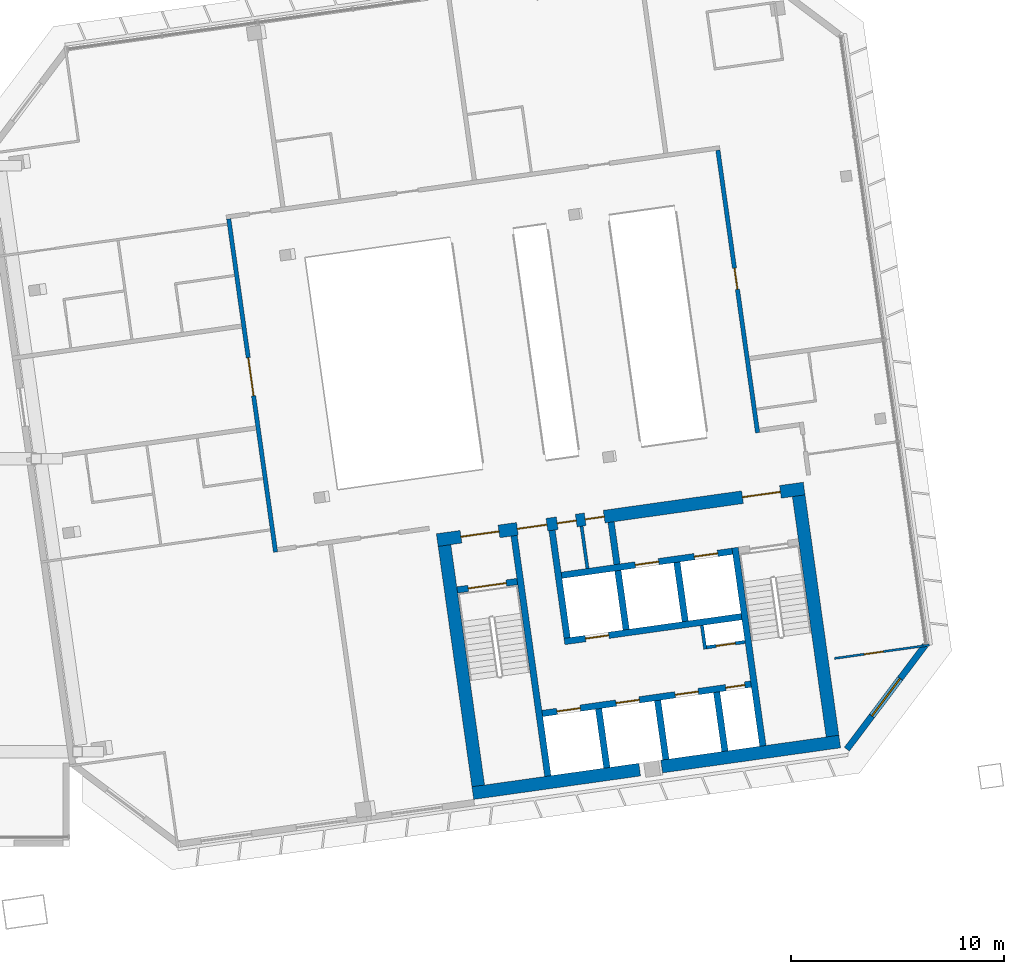
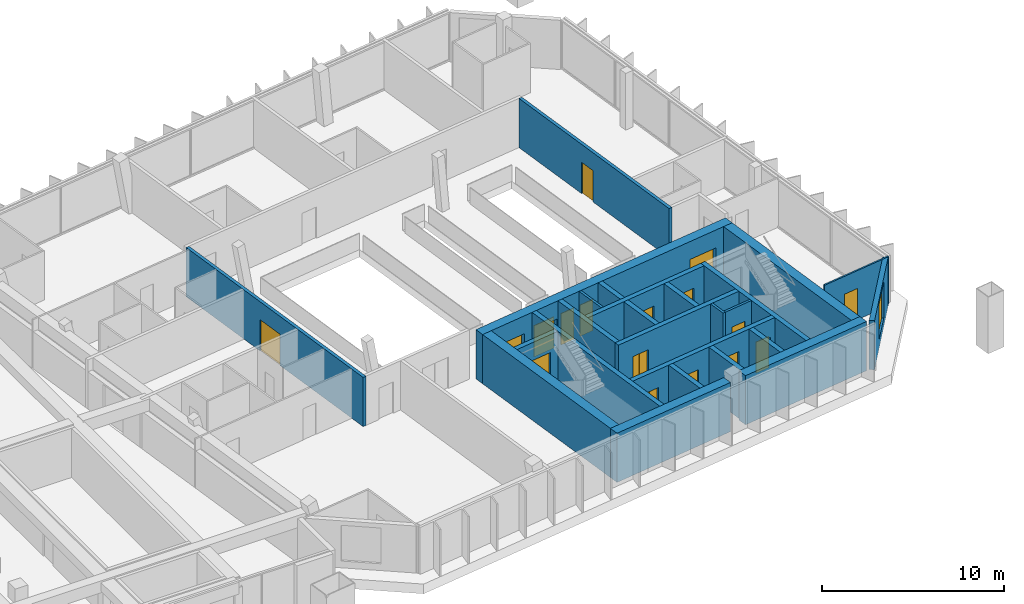
# One storey, part 22 of 30: 25 walls, 17 doors, 1 window, 18 openings.
"""IFC4 building model written with IfcOpenShell, lengths in metres."""

from ifc_helpers import new_model, si_unit, direction, frame, frame_2d, origin, place, context, subcontext, project, spatial, rectangle, extrude, material, layer, layer_set, type_object, element, fill, save


model = new_model("IFC4")

# Units and contexts
model_context = context("Model", 3, precision=1e-05, world=origin(), true_north=direction((0.0, 1.0)))
body_context = subcontext(model_context, "Body", "Model", "MODEL_VIEW")
ifc_project = project(units=[si_unit("LENGTHUNIT", "METRE"), si_unit("AREAUNIT", "SQUARE_METRE"), si_unit("VOLUMEUNIT", "CUBIC_METRE"), si_unit("PLANEANGLEUNIT", "RADIAN"), si_unit("MASSUNIT", "GRAM", prefix="KILO")], contexts=[model_context])

# Site, building, storey
site_placement = place(None, origin())
site = spatial("IfcSite", under=ifc_project, at=site_placement, CompositionType="ELEMENT")
building_placement = place(site_placement, origin())
building = spatial("IfcBuilding", under=site, at=building_placement, Name="Mirante Cascada Hotel Towers", CompositionType="ELEMENT")
storey_placement = place(building_placement, frame((0.0, 0.0, 258.4)))
storey = spatial("IfcBuildingStorey", under=building, at=storey_placement, Name="L62", CompositionType="ELEMENT", Elevation=258.4)

# Wall, opening, door
ifc_material_1 = material(Name="Fire-rated plasterboard on metal studs")
ifc_layer_1 = layer(ifc_material_1, 0.2)
ifc_layer_set_1 = layer_set([ifc_layer_1], Name="Compartment wall 200 EI 120")
wall_type_1 = type_object("IfcWallType", Name="Compartment wall 200 EI 120", PredefinedType="PARTITIONING", material=ifc_layer_set_1)
wall_1_placement = place(storey_placement, frame((25.8494, 7.414, 0.0), z_axis=(0.0, 0.0, 1.0), x_axis=(0.1391766, -0.9902676, 0.0)))
wall_1 = element("IfcWall", 1, at=wall_1_placement, inside=storey, type_object=wall_type_1, Name="Wall 2-L62-30", PredefinedType="PARTITIONING", context=body_context, shape_type="SweptSolid", body=[
    extrude(rectangle(XDim=15.8001, YDim=0.2, at=frame_2d((7.9, 0.0))), origin(), (0.0, 0.0, 1.0), 3.3),
])
opening_1_placement = place(wall_1_placement, frame((6.5834, 0.0, 0.0)))
opening_1 = element("IfcOpeningElement", 2, at=opening_1_placement, cuts=wall_1, Name="Opening D2-L62-21", PredefinedType="OPENING", context=body_context, shape_type="SweptSolid", body=[
    extrude(rectangle(XDim=1.8, YDim=2.1, at=frame_2d((0.9, 1.05))), frame((0.0, 0.1, 0.0), z_axis=(0.0, -1.0, 0.0), x_axis=(1.0, 0.0, 0.0)), (0.0, 0.0, 1.0), 0.2),
])
ifc_material_2 = material(Name="Fire-rated timber door leaf", Category="wood")
door_type_1 = type_object("IfcDoorType", Name="Suite double door DG2 1800x2100 EI 60", OperationType="DOUBLE_DOOR_SINGLE_SWING", PredefinedType="DOOR", material=ifc_material_2)
door_1_placement = place(opening_1_placement, origin())
door_1 = element("IfcDoor", 3, at=door_1_placement, inside=storey, type_object=door_type_1, Name="Door D2-L62-21", OperationType="DOUBLE_DOOR_SINGLE_SWING", OverallHeight=2.1, OverallWidth=1.8, PredefinedType="DOOR", context=body_context, shape_type="SweptSolid", body=[
    extrude(rectangle(XDim=0.895, YDim=2.1, at=frame_2d((0.4475, 1.05))), frame((0.0, 0.025, 0.0), z_axis=(0.0, -1.0, 0.0), x_axis=(1.0, 0.0, 0.0)), (0.0, 0.0, 1.0), 0.05),
    extrude(rectangle(XDim=0.895, YDim=2.1, at=frame_2d((1.3525, 1.05))), frame((0.0, 0.025, 0.0), z_axis=(0.0, -1.0, 0.0), x_axis=(1.0, 0.0, 0.0)), (0.0, 0.0, 1.0), 0.05),
])
fill(opening_1, door_1)

wall_2_placement = place(storey_placement, frame((50.6886, -2.6268, 0.0), z_axis=(0.0, 0.0, 1.0), x_axis=(-0.1391716, 0.9902683, 0.0)))
wall_2 = element("IfcWall", 4, at=wall_2_placement, inside=storey, type_object=wall_type_1, Name="Wall 2-L62-37", PredefinedType="PARTITIONING", context=body_context, shape_type="SweptSolid", body=[
    extrude(rectangle(XDim=13.4, YDim=0.2, at=frame_2d((6.7, 0.0))), origin(), (0.0, 0.0, 1.0), 3.3),
])
opening_2_placement = place(wall_2_placement, frame((6.8, 0.0, 0.0)))
opening_2 = element("IfcOpeningElement", 5, at=opening_2_placement, cuts=wall_2, Name="Opening D2-L62-22", PredefinedType="OPENING", context=body_context, shape_type="SweptSolid", body=[
    extrude(rectangle(XDim=1.0, YDim=2.1, at=frame_2d((0.5, 1.05))), frame((0.0, 0.1, 0.0), z_axis=(0.0, -1.0, 0.0), x_axis=(1.0, 0.0, 0.0)), (0.0, 0.0, 1.0), 0.2),
])
ifc_material_3 = material(Name="Fire-rated timber door leaf", Category="wood")
door_type_2 = type_object("IfcDoorType", Name="Entrance door DG1 1000x2100 EI 60", OperationType="SINGLE_SWING_LEFT", PredefinedType="DOOR", material=ifc_material_3)
door_2_placement = place(opening_2_placement, frame((1.0, 0.0, 0.0), z_axis=(0.0, 0.0, 1.0), x_axis=(-1.0, 0.0, 0.0)))
door_2 = element("IfcDoor", 6, at=door_2_placement, inside=storey, type_object=door_type_2, Name="Door D2-L62-22", OperationType="SINGLE_SWING_RIGHT", OverallHeight=2.1, OverallWidth=1.0, PredefinedType="DOOR", context=body_context, shape_type="SweptSolid", body=[
    extrude(rectangle(XDim=1.0, YDim=2.1, at=frame_2d((0.5, 1.05))), frame((0.0, 0.025, 0.0), z_axis=(0.0, -1.0, 0.0), x_axis=(1.0, 0.0, 0.0)), (0.0, 0.0, 1.0), 0.05),
])
fill(opening_2, door_2)

# Wall
ifc_material_4 = material(Name="Masonry block", Category="masonry")
ifc_layer_2 = layer(ifc_material_4, 0.15)
ifc_layer_set_2 = layer_set([ifc_layer_2], Name="Core room partition 150 block EI 30")
wall_type_2 = type_object("IfcWallType", Name="Core room partition 150 block EI 30", PredefinedType="PARTITIONING", material=ifc_layer_set_2)
wall_3_placement = place(storey_placement, frame((48.2295, -12.793, 0.0), z_axis=(0.0, 0.0, 1.0), x_axis=(-0.1391935, 0.9902652, 0.0)))
element("IfcWall", 7, at=wall_3_placement, inside=storey, type_object=wall_type_2, Name="Core wall partition T2 L62 2", PredefinedType="PARTITIONING", context=body_context, shape_type="SweptSolid", body=[
    extrude(rectangle(XDim=1.1251, YDim=0.15, at=frame_2d((0.5626, 0.0))), origin(), (0.0, 0.0, 1.0), 3.3),
])

# Wall, opening, door
wall_4_placement = place(storey_placement, frame((48.2933, -12.7083, 0.0), z_axis=(0.0, 0.0, 1.0), x_axis=(0.990268, 0.1391734, 0.0)))
wall_4 = element("IfcWall", 8, at=wall_4_placement, inside=storey, type_object=wall_type_2, Name="Core wall partition T2 L62 3", PredefinedType="PARTITIONING", context=body_context, shape_type="SweptSolid", body=[
    extrude(rectangle(XDim=1.8251, YDim=0.15, at=frame_2d((0.9126, 0.0))), origin(), (0.0, 0.0, 1.0), 3.3),
])
opening_3_placement = place(wall_4_placement, frame((0.4625, 0.0, 0.0)))
opening_3 = element("IfcOpeningElement", 9, at=opening_3_placement, cuts=wall_4, Name="Opening D2-62-C13", PredefinedType="OPENING", context=body_context, shape_type="SweptSolid", body=[
    extrude(rectangle(XDim=0.9, YDim=2.1, at=frame_2d((0.45, 1.05))), frame((0.0, 0.075, 0.0), z_axis=(0.0, -1.0, 0.0), x_axis=(1.0, 0.0, 0.0)), (0.0, 0.0, 1.0), 0.15),
])
ifc_material_5 = material(Name="Hollow metal fire door leaf")
door_type_3 = type_object("IfcDoorType", Name="Fire door 900x2100 FD60", OperationType="NOTDEFINED", PredefinedType="DOOR", material=ifc_material_5)
door_3_placement = place(opening_3_placement, frame((0.9, 0.0, 0.0), z_axis=(0.0, 0.0, 1.0), x_axis=(-1.0, 0.0, 0.0)))
door_3 = element("IfcDoor", 10, at=door_3_placement, inside=storey, type_object=door_type_3, Name="Riser door T2 L62 13", OperationType="SINGLE_SWING_RIGHT", OverallHeight=2.1, OverallWidth=0.9, PredefinedType="DOOR", context=body_context, shape_type="SweptSolid", body=[
    extrude(rectangle(XDim=0.9, YDim=2.1, at=frame_2d((0.45, 1.05))), frame((0.0, 0.025, 0.0), z_axis=(0.0, -1.0, 0.0), x_axis=(1.0, 0.0, 0.0)), (0.0, 0.0, 1.0), 0.05),
])
fill(opening_3, door_3)

# Walls
wall_5_placement = place(storey_placement, frame((42.6979, -9.0009, 0.0), z_axis=(0.0, 0.0, 1.0), x_axis=(-0.1391529, 0.9902709, 0.0)))
element("IfcWall", 11, at=wall_5_placement, inside=storey, type_object=wall_type_2, Name="Core wall partition T2 L62 4", PredefinedType="PARTITIONING", context=body_context, shape_type="SweptSolid", body=[
    extrude(rectangle(XDim=2.0, YDim=0.15, at=frame_2d((1.0, 0.0))), origin(), (0.0, 0.0, 1.0), 3.3),
])
ifc_material_6 = material(Name="Masonry block", Category="masonry")
ifc_layer_3 = layer(ifc_material_6, 0.3)
ifc_layer_set_3 = layer_set([ifc_layer_3], Name="Core wall 300 block EI 120")
wall_type_3 = type_object("IfcWallType", Name="Core wall 300 block EI 120", PredefinedType="PARTITIONING", material=ifc_layer_set_3)
wall_6_placement = place(storey_placement, frame((44.0843, -8.8061, 0.0), z_axis=(0.0, 0.0, 1.0), x_axis=(-0.1391951, 0.990265, 0.0)))
element("IfcWall", 12, at=wall_6_placement, inside=storey, type_object=wall_type_3, Name="Core wall partition T2 L62 1", PredefinedType="PARTITIONING", context=body_context, shape_type="SweptSolid", body=[
    extrude(rectangle(XDim=2.0001, YDim=0.3, at=frame_2d((1.0001, 0.0))), origin(), (0.0, 0.0, 1.0), 3.3),
])

# Wall, opening, door
ifc_material_7 = material(Name="Plasterboard on metal studs")
ifc_layer_4 = layer(ifc_material_7, 0.1)
ifc_layer_set_4 = layer_set([ifc_layer_4], Name="Partition 100")
wall_type_4 = type_object("IfcWallType", Name="Partition 100", PredefinedType="PARTITIONING", material=ifc_layer_set_4)
wall_7_placement = place(storey_placement, frame((58.7552, -12.6012, 0.0), z_axis=(0.0, 0.0, 1.0), x_axis=(-0.9902674, -0.1391779, 0.0)))
wall_7 = element("IfcWall", 13, at=wall_7_placement, inside=storey, type_object=wall_type_4, Name="Wall 2-L62-02", PredefinedType="PARTITIONING", context=body_context, shape_type="SweptSolid", body=[
    extrude(rectangle(XDim=4.5, YDim=0.1, at=frame_2d((2.25, 0.0))), origin(), (0.0, 0.0, 1.0), 3.3),
])
opening_4_placement = place(wall_7_placement, frame((2.19, 0.0, 0.0)))
opening_4 = element("IfcOpeningElement", 14, at=opening_4_placement, cuts=wall_7, Name="Opening D2-L62-01", PredefinedType="OPENING", context=body_context, shape_type="SweptSolid", body=[
    extrude(rectangle(XDim=0.9, YDim=2.1, at=frame_2d((0.45, 1.05))), frame((0.0, 0.05, 0.0), z_axis=(0.0, -1.0, 0.0), x_axis=(1.0, 0.0, 0.0)), (0.0, 0.0, 1.0), 0.1),
])
ifc_material_8 = material(Name="Timber door leaf", Category="wood")
door_type_4 = type_object("IfcDoorType", Name="Room door DG3 900x2100", OperationType="SINGLE_SWING_LEFT", PredefinedType="DOOR", material=ifc_material_8)
door_4_placement = place(opening_4_placement, frame((0.9, 0.0, 0.0), z_axis=(0.0, 0.0, 1.0), x_axis=(-1.0, 0.0, 0.0)))
door_4 = element("IfcDoor", 15, at=door_4_placement, inside=storey, type_object=door_type_4, Name="Door D2-L62-01", OperationType="SINGLE_SWING_RIGHT", OverallHeight=2.1, OverallWidth=0.9, PredefinedType="DOOR", context=body_context, shape_type="SweptSolid", body=[
    extrude(rectangle(XDim=0.9, YDim=2.1, at=frame_2d((0.45, 1.05))), frame((0.0, 0.025, 0.0), z_axis=(0.0, -1.0, 0.0), x_axis=(1.0, 0.0, 0.0)), (0.0, 0.0, 1.0), 0.05),
])
fill(opening_4, door_4)

# Wall, opening, window
ifc_material_9 = material(Name="Precast concrete C40/50", Category="concrete")
ifc_layer_5 = layer(ifc_material_9, 0.3)
ifc_layer_set_5 = layer_set([ifc_layer_5], Name="Precast concrete C40/50 cladding wall 300")
wall_type_5 = type_object("IfcWallType", Name="Precast concrete C40/50 cladding wall 300", PredefinedType="STANDARD", material=ifc_layer_set_5)
wall_8_placement = place(storey_placement, frame((54.8802, -17.4943, 0.0), z_axis=(0.0, 0.0, 1.0), x_axis=(0.6018141, 0.7986362, 0.0)))
wall_8 = element("IfcWall", 16, at=wall_8_placement, inside=storey, type_object=wall_type_5, Name="Corner cladding wall T2 L62 rear outer", PredefinedType="STANDARD", context=body_context, shape_type="SweptSolid", body=[
    extrude(rectangle(XDim=6.1157, YDim=0.3, at=frame_2d((3.0578, 0.0))), origin(), (0.0, 0.0, 1.0), 3.3),
])
opening_5_placement = place(wall_8_placement, frame((1.9578, 0.0, 0.6)))
opening_5 = element("IfcOpeningElement", 17, at=opening_5_placement, cuts=wall_8, Name="Opening W2-62-04", PredefinedType="OPENING", context=body_context, shape_type="SweptSolid", body=[
    extrude(rectangle(XDim=2.2, YDim=2.4, at=frame_2d((1.1, 1.2))), frame((0.0, 0.15, 0.0), z_axis=(0.0, -1.0, 0.0), x_axis=(1.0, 0.0, 0.0)), (0.0, 0.0, 1.0), 0.3),
])
ifc_material_10 = material(Name="Aluminium frame with clear double glazing", Category="aluminium")
window_type = type_object("IfcWindowType", Name="Corner suite window 2200x2400", PartitioningType="DOUBLE_PANEL_VERTICAL", PredefinedType="WINDOW", material=ifc_material_10)
window_placement = place(opening_5_placement, origin())
window = element("IfcWindow", 18, at=window_placement, inside=storey, type_object=window_type, Name="Window W2-62-04", OverallHeight=2.4, OverallWidth=2.2, PartitioningType="SINGLE_PANEL", PredefinedType="WINDOW", context=body_context, shape_type="SweptSolid", body=[
    extrude(rectangle(XDim=2.2, YDim=2.4, at=frame_2d((1.1, 1.2))), frame((0.0, 0.03, 0.0), z_axis=(0.0, -1.0, 0.0), x_axis=(1.0, 0.0, 0.0)), (0.0, 0.0, 1.0), 0.06),
])
fill(opening_5, window)

# Walls
ifc_material_11 = material(Name="Concrete C50/60", Category="concrete")
ifc_layer_6 = layer(ifc_material_11, 0.3)
ifc_layer_set_6 = layer_set([ifc_layer_6], Name="RC core wall 300 C50/60")
wall_type_6 = type_object("IfcWallType", Name="RC core wall 300 C50/60", PredefinedType="SHEAR", material=ifc_layer_set_6)
wall_9_placement = place(storey_placement, frame((40.8373, -18.7548, 0.0), z_axis=(0.0, 0.0, 1.0), x_axis=(-0.1391749, 0.9902678, 0.0)))
element("IfcWall", 19, at=wall_9_placement, inside=storey, type_object=wall_type_6, Name="Core wall T2:L62:5", PredefinedType="SHEAR", context=body_context, shape_type="SweptSolid", body=[
    extrude(rectangle(XDim=11.4, YDim=0.3, at=frame_2d((5.7, 0.0))), origin(), (0.0, 0.0, 1.0), 3.3),
])
wall_10_placement = place(storey_placement, frame((50.938, -17.3352, 0.0), z_axis=(0.0, 0.0, 1.0), x_axis=(-0.1391706, 0.9902684, 0.0)))
element("IfcWall", 20, at=wall_10_placement, inside=storey, type_object=wall_type_6, Name="Core wall T2:L62:6", PredefinedType="SHEAR", context=body_context, shape_type="SweptSolid", body=[
    extrude(rectangle(XDim=9.4, YDim=0.3, at=frame_2d((4.7, 0.0))), origin(), (0.0, 0.0, 1.0), 3.3),
])

# Wall, opening, door
wall_11_placement = place(storey_placement, frame((36.5791, -10.0123, 0.0), z_axis=(0.0, 0.0, 1.0), x_axis=(0.9902704, 0.1391564, 0.0)))
wall_11 = element("IfcWall", 21, at=wall_11_placement, inside=storey, type_object=wall_type_6, Name="Core wall T2:L62:7", PredefinedType="SHEAR", context=body_context, shape_type="SweptSolid", body=[
    extrude(rectangle(XDim=2.85, YDim=0.3, at=frame_2d((1.425, 0.0))), origin(), (0.0, 0.0, 1.0), 3.3),
])
opening_6_placement = place(wall_11_placement, frame((0.525, 0.0, 0.0)))
opening_6 = element("IfcOpeningElement", 22, at=opening_6_placement, cuts=wall_11, Name="Opening D2-62-C07", PredefinedType="OPENING", context=body_context, shape_type="SweptSolid", body=[
    extrude(rectangle(XDim=1.8, YDim=2.1, at=frame_2d((0.9, 1.05))), frame((0.0, 0.15, 0.0), z_axis=(0.0, -1.0, 0.0), x_axis=(1.0, 0.0, 0.0)), (0.0, 0.0, 1.0), 0.3),
])
ifc_material_12 = material(Name="Hollow metal fire door leaf")
door_type_5 = type_object("IfcDoorType", Name="Double fire door 1800x2100 FD60", OperationType="DOUBLE_DOOR_SINGLE_SWING", PredefinedType="DOOR", material=ifc_material_12)
door_5_placement = place(opening_6_placement, frame((1.8, 0.0, 0.0), z_axis=(0.0, 0.0, 1.0), x_axis=(-1.0, 0.0, 0.0)))
door_5 = element("IfcDoor", 23, at=door_5_placement, inside=storey, type_object=door_type_5, Name="Stair door T2 L62 7", OperationType="DOUBLE_DOOR_SINGLE_SWING", OverallHeight=2.1, OverallWidth=1.8, PredefinedType="DOOR", context=body_context, shape_type="SweptSolid", body=[
    extrude(rectangle(XDim=0.895, YDim=2.1, at=frame_2d((0.4475, 1.05))), frame((0.0, 0.025, 0.0), z_axis=(0.0, -1.0, 0.0), x_axis=(1.0, 0.0, 0.0)), (0.0, 0.0, 1.0), 0.05),
    extrude(rectangle(XDim=0.895, YDim=2.1, at=frame_2d((1.3525, 1.05))), frame((0.0, 0.025, 0.0), z_axis=(0.0, -1.0, 0.0), x_axis=(1.0, 0.0, 0.0)), (0.0, 0.0, 1.0), 0.05),
])
fill(opening_6, door_5)

# Wall, openings, doors
wall_12_placement = place(storey_placement, frame((40.5753, -15.8126, 0.0), z_axis=(0.0, 0.0, 1.0), x_axis=(0.9902682, 0.1391725, 0.0)))
wall_12 = element("IfcWall", 24, at=wall_12_placement, inside=storey, type_object=wall_type_6, Name="Core wall T2:L62:9", PredefinedType="SHEAR", context=body_context, shape_type="SweptSolid", body=[
    extrude(rectangle(XDim=9.8999, YDim=0.3, at=frame_2d((4.95, 0.0))), origin(), (0.0, 0.0, 1.0), 3.3),
])
opening_7_placement = place(wall_12_placement, frame((0.7, 0.0, 0.0)))
opening_7 = element("IfcOpeningElement", 25, at=opening_7_placement, cuts=wall_12, Name="Opening LD", PredefinedType="OPENING", context=body_context, shape_type="SweptSolid", body=[
    extrude(rectangle(XDim=1.1, YDim=2.1, at=frame_2d((0.55, 1.05))), frame((0.0, 0.15, 0.0), z_axis=(0.0, -1.0, 0.0), x_axis=(1.0, 0.0, 0.0)), (0.0, 0.0, 1.0), 0.3),
])
opening_8_placement = place(wall_12_placement, frame((3.5, 0.0, 0.0)))
opening_8 = element("IfcOpeningElement", 26, at=opening_8_placement, cuts=wall_12, Name="Opening LD", PredefinedType="OPENING", context=body_context, shape_type="SweptSolid", body=[
    extrude(rectangle(XDim=1.1, YDim=2.1, at=frame_2d((0.55, 1.05))), frame((0.0, 0.15, 0.0), z_axis=(0.0, -1.0, 0.0), x_axis=(1.0, 0.0, 0.0)), (0.0, 0.0, 1.0), 0.3),
])
opening_9_placement = place(wall_12_placement, frame((6.3, 0.0, 0.0)))
opening_9 = element("IfcOpeningElement", 27, at=opening_9_placement, cuts=wall_12, Name="Opening LD", PredefinedType="OPENING", context=body_context, shape_type="SweptSolid", body=[
    extrude(rectangle(XDim=1.1, YDim=2.1, at=frame_2d((0.55, 1.05))), frame((0.0, 0.15, 0.0), z_axis=(0.0, -1.0, 0.0), x_axis=(1.0, 0.0, 0.0)), (0.0, 0.0, 1.0), 0.3),
])
opening_10_placement = place(wall_12_placement, frame((8.7, 0.0, 0.0)))
opening_10 = element("IfcOpeningElement", 28, at=opening_10_placement, cuts=wall_12, Name="Opening D2-62-C12", PredefinedType="OPENING", context=body_context, shape_type="SweptSolid", body=[
    extrude(rectangle(XDim=0.9, YDim=2.1, at=frame_2d((0.45, 1.05))), frame((0.0, 0.15, 0.0), z_axis=(0.0, -1.0, 0.0), x_axis=(1.0, 0.0, 0.0)), (0.0, 0.0, 1.0), 0.3),
])
door_6_placement = place(opening_10_placement, frame((0.9, 0.0, 0.0), z_axis=(0.0, 0.0, 1.0), x_axis=(-1.0, 0.0, 0.0)))
door_6 = element("IfcDoor", 29, at=door_6_placement, inside=storey, type_object=door_type_3, Name="Riser door T2 L62 12", OperationType="SINGLE_SWING_RIGHT", OverallHeight=2.1, OverallWidth=0.9, PredefinedType="DOOR", context=body_context, shape_type="SweptSolid", body=[
    extrude(rectangle(XDim=0.9, YDim=2.1, at=frame_2d((0.45, 1.05))), frame((0.0, 0.025, 0.0), z_axis=(0.0, -1.0, 0.0), x_axis=(1.0, 0.0, 0.0)), (0.0, 0.0, 1.0), 0.05),
])
fill(opening_10, door_6)
ifc_material_13 = material(Name="Stainless steel", Category="steel")
door_type_6 = type_object("IfcDoorType", Name="Lift landing door 1100x2100 EI 120", OperationType="DOUBLE_DOOR_SLIDING", PredefinedType="DOOR", material=ifc_material_13)
door_7_placement = place(opening_7_placement, origin())
door_7 = element("IfcDoor", 30, at=door_7_placement, inside=storey, type_object=door_type_6, Name="Lift landing door HR2-1 L62", OperationType="DOUBLE_DOOR_SLIDING", OverallHeight=2.1, OverallWidth=1.1, PredefinedType="DOOR", context=body_context, shape_type="SweptSolid", body=[
    extrude(rectangle(XDim=0.545, YDim=2.1, at=frame_2d((0.2725, 1.05))), frame((0.0, 0.025, 0.0), z_axis=(0.0, -1.0, 0.0), x_axis=(1.0, 0.0, 0.0)), (0.0, 0.0, 1.0), 0.05),
    extrude(rectangle(XDim=0.545, YDim=2.1, at=frame_2d((0.8275, 1.05))), frame((0.0, 0.025, 0.0), z_axis=(0.0, -1.0, 0.0), x_axis=(1.0, 0.0, 0.0)), (0.0, 0.0, 1.0), 0.05),
])
fill(opening_7, door_7)
door_8_placement = place(opening_8_placement, origin())
door_8 = element("IfcDoor", 31, at=door_8_placement, inside=storey, type_object=door_type_6, Name="Lift landing door HR2-2 L62", OperationType="DOUBLE_DOOR_SLIDING", OverallHeight=2.1, OverallWidth=1.1, PredefinedType="DOOR", context=body_context, shape_type="SweptSolid", body=[
    extrude(rectangle(XDim=0.545, YDim=2.1, at=frame_2d((0.2725, 1.05))), frame((0.0, 0.025, 0.0), z_axis=(0.0, -1.0, 0.0), x_axis=(1.0, 0.0, 0.0)), (0.0, 0.0, 1.0), 0.05),
    extrude(rectangle(XDim=0.545, YDim=2.1, at=frame_2d((0.8275, 1.05))), frame((0.0, 0.025, 0.0), z_axis=(0.0, -1.0, 0.0), x_axis=(1.0, 0.0, 0.0)), (0.0, 0.0, 1.0), 0.05),
])
fill(opening_8, door_8)
door_9_placement = place(opening_9_placement, origin())
door_9 = element("IfcDoor", 32, at=door_9_placement, inside=storey, type_object=door_type_6, Name="Lift landing door HR2-3 L62", OperationType="DOUBLE_DOOR_SLIDING", OverallHeight=2.1, OverallWidth=1.1, PredefinedType="DOOR", context=body_context, shape_type="SweptSolid", body=[
    extrude(rectangle(XDim=0.545, YDim=2.1, at=frame_2d((0.2725, 1.05))), frame((0.0, 0.025, 0.0), z_axis=(0.0, -1.0, 0.0), x_axis=(1.0, 0.0, 0.0)), (0.0, 0.0, 1.0), 0.05),
    extrude(rectangle(XDim=0.545, YDim=2.1, at=frame_2d((0.8275, 1.05))), frame((0.0, 0.025, 0.0), z_axis=(0.0, -1.0, 0.0), x_axis=(1.0, 0.0, 0.0)), (0.0, 0.0, 1.0), 0.05),
])
fill(opening_9, door_9)

# Wall, opening, door
wall_13_placement = place(storey_placement, frame((41.6153, -12.435, 0.0), z_axis=(0.0, 0.0, 1.0), x_axis=(0.9902691, 0.139166, 0.0)))
wall_13 = element("IfcWall", 33, at=wall_13_placement, inside=storey, type_object=wall_type_6, Name="Core wall T2:L62:10", PredefinedType="SHEAR", context=body_context, shape_type="SweptSolid", body=[
    extrude(rectangle(XDim=8.4, YDim=0.3, at=frame_2d((4.2, 0.0))), origin(), (0.0, 0.0, 1.0), 3.3),
])
opening_11_placement = place(wall_13_placement, frame((1.0, 0.0, 0.0)))
opening_11 = element("IfcOpeningElement", 34, at=opening_11_placement, cuts=wall_13, Name="Opening LD", PredefinedType="OPENING", context=body_context, shape_type="SweptSolid", body=[
    extrude(rectangle(XDim=1.1, YDim=2.1, at=frame_2d((0.55, 1.05))), frame((0.0, 0.15, 0.0), z_axis=(0.0, -1.0, 0.0), x_axis=(1.0, 0.0, 0.0)), (0.0, 0.0, 1.0), 0.3),
])
door_10_placement = place(opening_11_placement, origin())
door_10 = element("IfcDoor", 35, at=door_10_placement, inside=storey, type_object=door_type_6, Name="Lift landing door HR2-4 L62", OperationType="DOUBLE_DOOR_SLIDING", OverallHeight=2.1, OverallWidth=1.1, PredefinedType="DOOR", context=body_context, shape_type="SweptSolid", body=[
    extrude(rectangle(XDim=0.545, YDim=2.1, at=frame_2d((0.2725, 1.05))), frame((0.0, 0.025, 0.0), z_axis=(0.0, -1.0, 0.0), x_axis=(1.0, 0.0, 0.0)), (0.0, 0.0, 1.0), 0.05),
    extrude(rectangle(XDim=0.545, YDim=2.1, at=frame_2d((0.8275, 1.05))), frame((0.0, 0.025, 0.0), z_axis=(0.0, -1.0, 0.0), x_axis=(1.0, 0.0, 0.0)), (0.0, 0.0, 1.0), 0.05),
])
fill(opening_11, door_10)

# Wall, openings, doors
wall_14_placement = place(storey_placement, frame((41.481, -9.3234, 0.0), z_axis=(0.0, 0.0, 1.0), x_axis=(0.9902679, 0.1391741, 0.0)))
wall_14 = element("IfcWall", 36, at=wall_14_placement, inside=storey, type_object=wall_type_6, Name="Core wall T2:L62:11", PredefinedType="SHEAR", context=body_context, shape_type="SweptSolid", body=[
    extrude(rectangle(XDim=8.0999, YDim=0.3, at=frame_2d((4.05, 0.0))), origin(), (0.0, 0.0, 1.0), 3.3),
])
opening_12_placement = place(wall_14_placement, frame((3.5, 0.0, 0.0)))
opening_12 = element("IfcOpeningElement", 37, at=opening_12_placement, cuts=wall_14, Name="Opening LD", PredefinedType="OPENING", context=body_context, shape_type="SweptSolid", body=[
    extrude(rectangle(XDim=1.1, YDim=2.1, at=frame_2d((0.55, 1.05))), frame((0.0, 0.15, 0.0), z_axis=(0.0, -1.0, 0.0), x_axis=(1.0, 0.0, 0.0)), (0.0, 0.0, 1.0), 0.3),
])
opening_13_placement = place(wall_14_placement, frame((6.3, 0.0, 0.0)))
opening_13 = element("IfcOpeningElement", 38, at=opening_13_placement, cuts=wall_14, Name="Opening LD", PredefinedType="OPENING", context=body_context, shape_type="SweptSolid", body=[
    extrude(rectangle(XDim=1.1, YDim=2.1, at=frame_2d((0.55, 1.05))), frame((0.0, 0.15, 0.0), z_axis=(0.0, -1.0, 0.0), x_axis=(1.0, 0.0, 0.0)), (0.0, 0.0, 1.0), 0.3),
])
door_11_placement = place(opening_12_placement, origin())
door_11 = element("IfcDoor", 39, at=door_11_placement, inside=storey, type_object=door_type_6, Name="Lift landing door FF3 L62", OperationType="DOUBLE_DOOR_SLIDING", OverallHeight=2.1, OverallWidth=1.1, PredefinedType="DOOR", context=body_context, shape_type="SweptSolid", body=[
    extrude(rectangle(XDim=0.545, YDim=2.1, at=frame_2d((0.2725, 1.05))), frame((0.0, 0.025, 0.0), z_axis=(0.0, -1.0, 0.0), x_axis=(1.0, 0.0, 0.0)), (0.0, 0.0, 1.0), 0.05),
    extrude(rectangle(XDim=0.545, YDim=2.1, at=frame_2d((0.8275, 1.05))), frame((0.0, 0.025, 0.0), z_axis=(0.0, -1.0, 0.0), x_axis=(1.0, 0.0, 0.0)), (0.0, 0.0, 1.0), 0.05),
])
fill(opening_12, door_11)
door_12_placement = place(opening_13_placement, origin())
door_12 = element("IfcDoor", 40, at=door_12_placement, inside=storey, type_object=door_type_6, Name="Lift landing door FF4 L62", OperationType="DOUBLE_DOOR_SLIDING", OverallHeight=2.1, OverallWidth=1.1, PredefinedType="DOOR", context=body_context, shape_type="SweptSolid", body=[
    extrude(rectangle(XDim=0.545, YDim=2.1, at=frame_2d((0.2725, 1.05))), frame((0.0, 0.025, 0.0), z_axis=(0.0, -1.0, 0.0), x_axis=(1.0, 0.0, 0.0)), (0.0, 0.0, 1.0), 0.05),
    extrude(rectangle(XDim=0.545, YDim=2.1, at=frame_2d((0.8275, 1.05))), frame((0.0, 0.025, 0.0), z_axis=(0.0, -1.0, 0.0), x_axis=(1.0, 0.0, 0.0)), (0.0, 0.0, 1.0), 0.05),
])
fill(opening_13, door_12)

# Walls
wall_15_placement = place(storey_placement, frame((43.61, -18.3651, 0.0), z_axis=(0.0, 0.0, 1.0), x_axis=(-0.1391459, 0.9902719, 0.0)))
element("IfcWall", 41, at=wall_15_placement, inside=storey, type_object=wall_type_6, Name="Core wall T2:L62:12", PredefinedType="SHEAR", context=body_context, shape_type="SweptSolid", body=[
    extrude(rectangle(XDim=2.7999, YDim=0.3, at=frame_2d((1.4, 0.0))), origin(), (0.0, 0.0, 1.0), 3.3),
])
wall_16_placement = place(storey_placement, frame((46.3828, -17.9754, 0.0), z_axis=(0.0, 0.0, 1.0), x_axis=(-0.139181, 0.990267, 0.0)))
element("IfcWall", 42, at=wall_16_placement, inside=storey, type_object=wall_type_6, Name="Core wall T2:L62:13", PredefinedType="SHEAR", context=body_context, shape_type="SweptSolid", body=[
    extrude(rectangle(XDim=2.8, YDim=0.3, at=frame_2d((1.4, 0.0))), origin(), (0.0, 0.0, 1.0), 3.3),
])
wall_17_placement = place(storey_placement, frame((49.1555, -17.5857, 0.0), z_axis=(0.0, 0.0, 1.0), x_axis=(-0.1391459, 0.9902719, 0.0)))
element("IfcWall", 43, at=wall_17_placement, inside=storey, type_object=wall_type_6, Name="Core wall T2:L62:14", PredefinedType="SHEAR", context=body_context, shape_type="SweptSolid", body=[
    extrude(rectangle(XDim=2.7999, YDim=0.3, at=frame_2d((1.4, 0.0))), origin(), (0.0, 0.0, 1.0), 3.3),
])
for number, where, z_axis, x_axis, name in (
    (44, (44.5157, -11.8759, 0.0), (0.0, 0.0, 1.0), (-0.139181, 0.990267, 0.0), "Core wall T2:L62:15"),
    (45, (47.2885, -11.4862, 0.0), (0.0, 0.0, 1.0), (-0.139181, 0.990267, 0.0), "Core wall T2:L62:16"),
):
    element("IfcWall", number, at=place(storey_placement, frame(where, z_axis=z_axis, x_axis=x_axis)), inside=storey, type_object=wall_type_6, Name=name, PredefinedType="SHEAR", context=body_context, shape_type="SweptSolid", body=[
        extrude(rectangle(XDim=2.8, YDim=0.3, at=frame_2d((1.4, 0.0))), origin(), (0.0, 0.0, 1.0), 3.3),
    ])
wall_18_placement = place(storey_placement, frame((41.743, -12.2656, 0.0), z_axis=(0.0, 0.0, 1.0), x_axis=(-0.1391755, 0.9902677, 0.0)))
element("IfcWall", 46, at=wall_18_placement, inside=storey, type_object=wall_type_6, Name="Core wall T2:L62:17", PredefinedType="SHEAR", context=body_context, shape_type="SweptSolid", body=[
    extrude(rectangle(XDim=5.1, YDim=0.3, at=frame_2d((2.55, 0.0))), origin(), (0.0, 0.0, 1.0), 3.3),
])
ifc_material_14 = material(Name="Concrete C50/60", Category="concrete")
ifc_layer_7 = layer(ifc_material_14, 0.6)
ifc_layer_set_7 = layer_set([ifc_layer_7], Name="RC core wall 600 C50/60")
wall_type_7 = type_object("IfcWallType", Name="RC core wall 600 C50/60", PredefinedType="SHEAR", material=ifc_layer_set_7)
wall_19_placement = place(storey_placement, frame((37.3141, -19.5529, 0.0), z_axis=(0.0, 0.0, 1.0), x_axis=(0.9902684, 0.1391704, 0.0)))
element("IfcWall", 47, at=wall_19_placement, inside=storey, type_object=wall_type_7, Name="Core wall T2:L62:1.1", PredefinedType="SHEAR", context=body_context, shape_type="SweptSolid", body=[
    extrude(rectangle(XDim=7.9126, YDim=0.6, at=frame_2d((3.9563, 0.0))), origin(), (0.0, 0.0, 1.0), 3.3),
])
wall_20_placement = place(storey_placement, frame((46.1837, -18.3064, 0.0), z_axis=(0.0, 0.0, 1.0), x_axis=(0.9902674, 0.1391775, 0.0)))
element("IfcWall", 48, at=wall_20_placement, inside=storey, type_object=wall_type_7, Name="Core wall T2:L62:1.2", PredefinedType="SHEAR", context=body_context, shape_type="SweptSolid", body=[
    extrude(rectangle(XDim=8.4432, YDim=0.6, at=frame_2d((4.2216, 0.0))), origin(), (0.0, 0.0, 1.0), 3.3),
])

# Wall, openings, doors
wall_21_placement = place(storey_placement, frame((35.644, -7.6697, 0.0), z_axis=(0.0, 0.0, 1.0), x_axis=(0.9902682, 0.1391721, 0.0)))
wall_21 = element("IfcWall", 49, at=wall_21_placement, inside=storey, type_object=wall_type_7, Name="Core wall T2:L62:2", PredefinedType="SHEAR", context=body_context, shape_type="SweptSolid", body=[
    extrude(rectangle(XDim=17.4, YDim=0.6, at=frame_2d((8.7, 0.0))), origin(), (0.0, 0.0, 1.0), 3.3),
])
opening_14_placement = place(wall_21_placement, frame((1.125, 0.0, 0.0)))
opening_14 = element("IfcOpeningElement", 50, at=opening_14_placement, cuts=wall_21, Name="Opening D2-62-C08", PredefinedType="OPENING", context=body_context, shape_type="SweptSolid", body=[
    extrude(rectangle(XDim=1.8, YDim=2.1, at=frame_2d((0.9, 1.05))), frame((0.0, 0.3, 0.0), z_axis=(0.0, -1.0, 0.0), x_axis=(1.0, 0.0, 0.0)), (0.0, 0.0, 1.0), 0.6),
])
opening_15_placement = place(wall_21_placement, frame((14.475, 0.0, 0.0)))
opening_15 = element("IfcOpeningElement", 51, at=opening_15_placement, cuts=wall_21, Name="Opening D2-62-C10", PredefinedType="OPENING", context=body_context, shape_type="SweptSolid", body=[
    extrude(rectangle(XDim=1.8, YDim=2.1, at=frame_2d((0.9, 1.05))), frame((0.0, 0.3, 0.0), z_axis=(0.0, -1.0, 0.0), x_axis=(1.0, 0.0, 0.0)), (0.0, 0.0, 1.0), 0.6),
])
opening_16_placement = place(wall_21_placement, frame((3.8, 0.0, 0.0)))
opening_16 = element("IfcOpeningElement", 52, at=opening_16_placement, cuts=wall_21, Name="Opening D2-62-C11", PredefinedType="OPENING", context=body_context, shape_type="SweptSolid", body=[
    extrude(rectangle(XDim=1.4, YDim=2.1, at=frame_2d((0.7, 1.05))), frame((0.0, 0.3, 0.0), z_axis=(0.0, -1.0, 0.0), x_axis=(1.0, 0.0, 0.0)), (0.0, 0.0, 1.0), 0.6),
])
opening_17_placement = place(wall_21_placement, frame((5.6875, 0.0, 0.0)))
opening_17 = element("IfcOpeningElement", 53, at=opening_17_placement, cuts=wall_21, Name="Opening D2-62-C14", PredefinedType="OPENING", context=body_context, shape_type="SweptSolid", body=[
    extrude(rectangle(XDim=0.9, YDim=2.1, at=frame_2d((0.45, 1.05))), frame((0.0, 0.3, 0.0), z_axis=(0.0, -1.0, 0.0), x_axis=(1.0, 0.0, 0.0)), (0.0, 0.0, 1.0), 0.6),
])
opening_18_placement = place(wall_21_placement, frame((7.0125, 0.0, 0.0)))
opening_18 = element("IfcOpeningElement", 54, at=opening_18_placement, cuts=wall_21, Name="Opening D2-62-C15", PredefinedType="OPENING", context=body_context, shape_type="SweptSolid", body=[
    extrude(rectangle(XDim=0.9, YDim=2.1, at=frame_2d((0.45, 1.05))), frame((0.0, 0.3, 0.0), z_axis=(0.0, -1.0, 0.0), x_axis=(1.0, 0.0, 0.0)), (0.0, 0.0, 1.0), 0.6),
])
ifc_material_15 = material(Name="Hollow metal fire door leaf")
door_type_7 = type_object("IfcDoorType", Name="Double fire door 1400x2100 FD60", OperationType="DOUBLE_DOOR_SINGLE_SWING", PredefinedType="DOOR", material=ifc_material_15)
door_13_placement = place(opening_16_placement, origin())
door_13 = element("IfcDoor", 55, at=door_13_placement, inside=storey, type_object=door_type_7, Name="Exit door to gallery T2 L62 11", OperationType="DOUBLE_DOOR_SINGLE_SWING", OverallHeight=2.1, OverallWidth=1.4, PredefinedType="DOOR", context=body_context, shape_type="SweptSolid", body=[
    extrude(rectangle(XDim=0.695, YDim=2.1, at=frame_2d((0.3475, 1.05))), frame((0.0, 0.025, 0.0), z_axis=(0.0, -1.0, 0.0), x_axis=(1.0, 0.0, 0.0)), (0.0, 0.0, 1.0), 0.05),
    extrude(rectangle(XDim=0.695, YDim=2.1, at=frame_2d((1.0525, 1.05))), frame((0.0, 0.025, 0.0), z_axis=(0.0, -1.0, 0.0), x_axis=(1.0, 0.0, 0.0)), (0.0, 0.0, 1.0), 0.05),
])
fill(opening_16, door_13)
door_14_placement = place(opening_14_placement, frame((1.8, 0.0, 0.0), z_axis=(0.0, 0.0, 1.0), x_axis=(-1.0, 0.0, 0.0)))
door_14 = element("IfcDoor", 56, at=door_14_placement, inside=storey, type_object=door_type_5, Name="Exit door to gallery T2 L62 8", OperationType="DOUBLE_DOOR_SINGLE_SWING", OverallHeight=2.1, OverallWidth=1.8, PredefinedType="DOOR", context=body_context, shape_type="SweptSolid", body=[
    extrude(rectangle(XDim=0.895, YDim=2.1, at=frame_2d((0.4475, 1.05))), frame((0.0, 0.025, 0.0), z_axis=(0.0, -1.0, 0.0), x_axis=(1.0, 0.0, 0.0)), (0.0, 0.0, 1.0), 0.05),
    extrude(rectangle(XDim=0.895, YDim=2.1, at=frame_2d((1.3525, 1.05))), frame((0.0, 0.025, 0.0), z_axis=(0.0, -1.0, 0.0), x_axis=(1.0, 0.0, 0.0)), (0.0, 0.0, 1.0), 0.05),
])
fill(opening_14, door_14)
door_15_placement = place(opening_15_placement, frame((1.8, 0.0, 0.0), z_axis=(0.0, 0.0, 1.0), x_axis=(-1.0, 0.0, 0.0)))
door_15 = element("IfcDoor", 57, at=door_15_placement, inside=storey, type_object=door_type_5, Name="Exit door to gallery T2 L62 10", OperationType="DOUBLE_DOOR_SINGLE_SWING", OverallHeight=2.1, OverallWidth=1.8, PredefinedType="DOOR", context=body_context, shape_type="SweptSolid", body=[
    extrude(rectangle(XDim=0.895, YDim=2.1, at=frame_2d((0.4475, 1.05))), frame((0.0, 0.025, 0.0), z_axis=(0.0, -1.0, 0.0), x_axis=(1.0, 0.0, 0.0)), (0.0, 0.0, 1.0), 0.05),
    extrude(rectangle(XDim=0.895, YDim=2.1, at=frame_2d((1.3525, 1.05))), frame((0.0, 0.025, 0.0), z_axis=(0.0, -1.0, 0.0), x_axis=(1.0, 0.0, 0.0)), (0.0, 0.0, 1.0), 0.05),
])
fill(opening_15, door_15)
door_16_placement = place(opening_17_placement, frame((0.9, 0.0, 0.0), z_axis=(0.0, 0.0, 1.0), x_axis=(-1.0, 0.0, 0.0)))
door_16 = element("IfcDoor", 58, at=door_16_placement, inside=storey, type_object=door_type_3, Name="Room door T2 L62 14", OperationType="SINGLE_SWING_LEFT", OverallHeight=2.1, OverallWidth=0.9, PredefinedType="DOOR", context=body_context, shape_type="SweptSolid", body=[
    extrude(rectangle(XDim=0.9, YDim=2.1, at=frame_2d((0.45, 1.05))), frame((0.0, 0.025, 0.0), z_axis=(0.0, -1.0, 0.0), x_axis=(1.0, 0.0, 0.0)), (0.0, 0.0, 1.0), 0.05),
])
fill(opening_17, door_16)
door_17_placement = place(opening_18_placement, frame((0.9, 0.0, 0.0), z_axis=(0.0, 0.0, 1.0), x_axis=(-1.0, 0.0, 0.0)))
door_17 = element("IfcDoor", 59, at=door_17_placement, inside=storey, type_object=door_type_3, Name="Room door T2 L62 15", OperationType="SINGLE_SWING_LEFT", OverallHeight=2.1, OverallWidth=0.9, PredefinedType="DOOR", context=body_context, shape_type="SweptSolid", body=[
    extrude(rectangle(XDim=0.9, YDim=2.1, at=frame_2d((0.45, 1.05))), frame((0.0, 0.025, 0.0), z_axis=(0.0, -1.0, 0.0), x_axis=(1.0, 0.0, 0.0)), (0.0, 0.0, 1.0), 0.05),
])
fill(opening_18, door_17)

# Walls
for number, where, z_axis, x_axis, name in (
    (60, (37.5694, -19.2141, 0.0), (0.0, 0.0, 1.0), (-0.1391749, 0.9902678, 0.0), "Core wall T2:L62:3"),
    (61, (54.2059, -16.876, 0.0), (0.0, 0.0, 1.0), (-0.1391749, 0.9902678, 0.0), "Core wall T2:L62:4"),
):
    element("IfcWall", number, at=place(storey_placement, frame(where, z_axis=z_axis, x_axis=x_axis)), inside=storey, type_object=wall_type_7, Name=name, PredefinedType="SHEAR", context=body_context, shape_type="SweptSolid", body=[
        extrude(rectangle(XDim=11.4, YDim=0.6, at=frame_2d((5.7, 0.0))), origin(), (0.0, 0.0, 1.0), 3.3),
    ])

save(model, "model.ifc")
